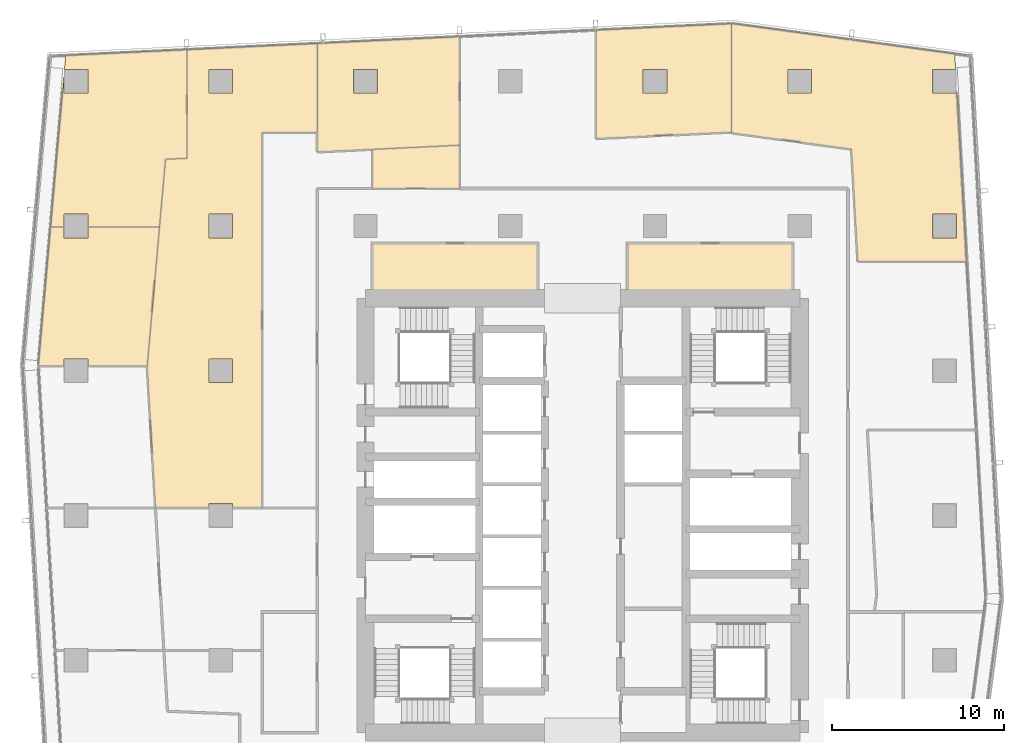
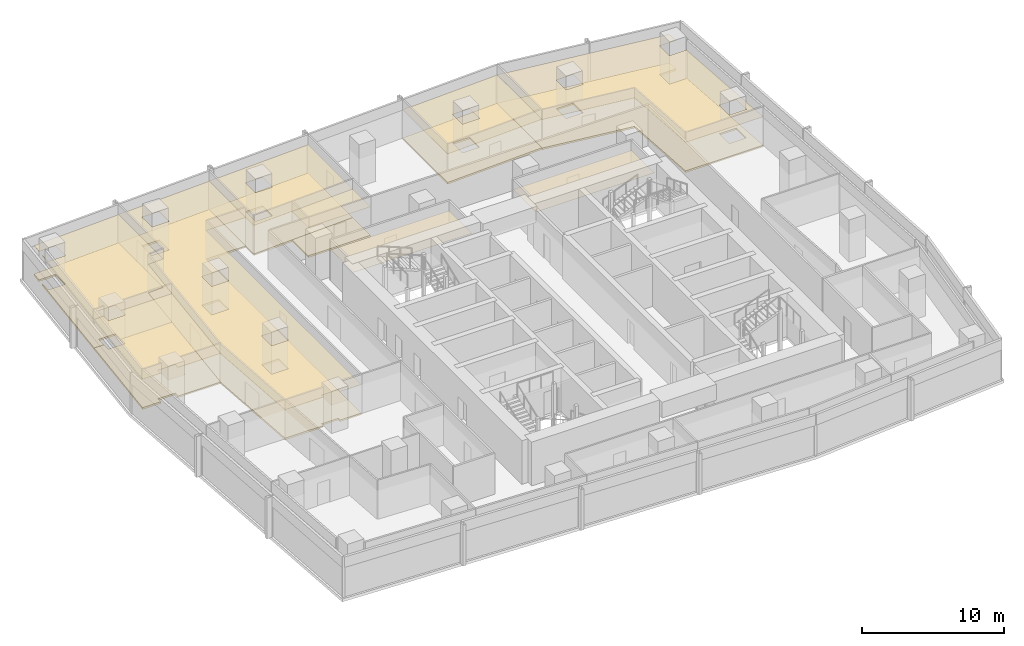
# One storey, part 39 of 39: 16 coverings.
"""IFC4 building model written with IfcOpenShell, lengths in metres."""

from ifc_helpers import new_model, si_unit, direction, frame, origin, place, context, subcontext, project, spatial, polyline, outline, extrude, material, layer, layer_set, type_object, element, save


model = new_model("IFC4")

# Units and contexts
model_context = context("Model", 3, precision=1e-05, world=origin(), true_north=direction((0.0, 1.0)))
body_context = subcontext(model_context, "Body", "Model", "MODEL_VIEW")
ifc_project = project(units=[si_unit("LENGTHUNIT", "METRE"), si_unit("AREAUNIT", "SQUARE_METRE"), si_unit("VOLUMEUNIT", "CUBIC_METRE"), si_unit("PLANEANGLEUNIT", "RADIAN"), si_unit("MASSUNIT", "GRAM", prefix="KILO")], contexts=[model_context])

# Site, building, storey
site_placement = place(None, origin())
site = spatial("IfcSite", under=ifc_project, at=site_placement, CompositionType="ELEMENT")
building_placement = place(site_placement, origin())
building = spatial("IfcBuilding", under=site, at=building_placement, Name="Rekha Terrace Tower", CompositionType="ELEMENT")
storey_placement = place(building_placement, frame((0.0, 0.0, 217.699951171875)))
storey = spatial("IfcBuildingStorey", under=building, at=storey_placement, Name="L55", CompositionType="ELEMENT", Elevation=217.699951171875)

# Coverings
ifc_material_1 = material(Name="Mineral fibre tile in exposed grid", Category="finish")
ifc_layer_1 = layer(ifc_material_1, 0.02001953125)
ifc_layer_set_1 = layer_set([ifc_layer_1], Name="Mineral fibre tile in exposed grid")
covering_type_1 = type_object("IfcCoveringType", Name="CL1 600x1200 office grid ceiling", PredefinedType="CEILING", material=ifc_layer_set_1)
covering_1_placement = place(storey_placement, frame((0.0, 0.0, 2.580078125)))
element("IfcCovering", 1, at=covering_1_placement, inside=storey, type_object=covering_type_1, Name="Ceiling L55-05", PredefinedType="CEILING", context=body_context, shape_type="SweptSolid", body=[
    extrude(outline(polyline([(58.110107421875, 59.489990234375), (59.443115234375, 59.489990234375), (59.39208984375, 60.39208984375), (46.445068359375, 62.154052734375), (46.445068359375, 55.7958984375), (53.39599609375, 54.85009765625), (53.76611328125, 48.33203125), (60.075927734375, 48.33203125), (59.51611328125, 58.2099609375), (59.489990234375, 58.208984375), (59.489990234375, 58.110107421875), (58.110107421875, 58.110107421875), (58.110107421875, 59.489990234375)]), holes=[polyline([(59.489990234375, 51.090087890625), (59.489990234375, 49.7099609375), (58.110107421875, 49.7099609375), (58.110107421875, 51.090087890625), (59.489990234375, 51.090087890625)]), polyline([(51.090087890625, 58.110107421875), (49.7099609375, 58.110107421875), (49.7099609375, 59.489990234375), (51.090087890625, 59.489990234375), (51.090087890625, 58.110107421875)])]), origin(), (0.0, 0.0, 1.0), 0.02001953125),
])
covering_2_placement = place(storey_placement, frame((0.0, 0.0, 2.580078125)))
element("IfcCovering", 2, at=covering_2_placement, inside=storey, type_object=covering_type_1, Name="Ceiling L55-06", PredefinedType="CEILING", context=body_context, shape_type="SweptSolid", body=[
    extrude(outline(polyline([(46.444091796875, 62.14697265625), (38.571044921875, 61.77099609375), (38.571044921875, 55.464111328125), (46.444091796875, 55.840087890625), (46.444091796875, 62.14697265625)]), holes=[polyline([(42.68994140625, 59.489990234375), (42.68994140625, 58.110107421875), (41.31005859375, 58.110107421875), (41.31005859375, 59.489990234375), (42.68994140625, 59.489990234375)])]), origin(), (0.0, 0.0, 1.0), 0.02001953125),
])
covering_3_placement = place(storey_placement, frame((0.0, 0.0, 2.580078125)))
element("IfcCovering", 3, at=covering_3_placement, inside=storey, type_object=covering_type_1, Name="Ceiling L55-07", PredefinedType="CEILING", context=body_context, shape_type="SweptSolid", body=[
    extrude(outline(polyline([(22.40087890625, 60.998046875), (22.40087890625, 54.69091796875), (30.660888671875, 55.0859375), (30.660888671875, 61.39306640625), (22.40087890625, 60.998046875)]), holes=[polyline([(25.889892578125, 58.110107421875), (24.510009765625, 58.110107421875), (24.510009765625, 59.489990234375), (25.889892578125, 59.489990234375), (25.889892578125, 58.110107421875)])]), origin(), (0.0, 0.0, 1.0), 0.02001953125),
])
covering_4_placement = place(storey_placement, frame((0.0, 0.0, 2.580078125)))
element("IfcCovering", 4, at=covering_4_placement, inside=storey, type_object=covering_type_1, Name="Ceiling L55-08", PredefinedType="CEILING", context=body_context, shape_type="SweptSolid", body=[
    extrude(outline(polyline([(13.593017578125, 54.27001953125), (14.842041015625, 54.3291015625), (14.842041015625, 60.636962890625), (7.801025390625, 60.300048828125), (7.72900390625, 59.489990234375), (9.090087890625, 59.489990234375), (9.090087890625, 58.110107421875), (7.7099609375, 58.110107421875), (7.7099609375, 59.0029296875), (7.68701171875, 59.00390625), (6.9208984375, 50.33203125), (7.7099609375, 50.33203125), (7.7099609375, 51.090087890625), (9.090087890625, 51.090087890625), (9.090087890625, 50.33203125), (13.2451171875, 50.33203125), (13.593017578125, 54.27001953125)])), origin(), (0.0, 0.0, 1.0), 0.02001953125),
])
covering_5_placement = place(storey_placement, frame((0.0, 0.0, 2.580078125)))
element("IfcCovering", 5, at=covering_5_placement, inside=storey, type_object=covering_type_1, Name="Ceiling L55-09", PredefinedType="CEILING", context=body_context, shape_type="SweptSolid", body=[
    extrude(outline(polyline([(7.7099609375, 49.7099609375), (7.7099609375, 50.3310546875), (6.9208984375, 50.3310546875), (6.2099609375, 42.282958984375), (7.7099609375, 42.282958984375), (7.7099609375, 42.68994140625), (9.090087890625, 42.68994140625), (9.090087890625, 42.282958984375), (12.534912109375, 42.282958984375), (13.2451171875, 50.3310546875), (9.090087890625, 50.3310546875), (9.090087890625, 49.7099609375), (7.7099609375, 49.7099609375)])), origin(), (0.0, 0.0, 1.0), 0.02001953125),
])
covering_6_placement = place(storey_placement, frame((0.0, 0.0, 2.580078125)))
element("IfcCovering", 6, at=covering_6_placement, inside=storey, type_object=covering_type_1, Name="Ceiling L55-14", PredefinedType="CEILING", context=body_context, shape_type="SweptSolid", body=[
    extrude(outline(polyline([(25.60009765625, 54.843994140625), (25.60009765625, 52.574951171875), (30.660888671875, 52.574951171875), (30.660888671875, 55.0859375), (25.60009765625, 54.843994140625)])), origin(), (0.0, 0.0, 1.0), 0.02001953125),
])
covering_7_placement = place(storey_placement, frame((0.0, 0.0, 2.580078125)))
element("IfcCovering", 7, at=covering_7_placement, inside=storey, type_object=covering_type_1, Name="Ceiling L55-O1b", PredefinedType="CEILING", context=body_context, shape_type="SweptSolid", body=[
    extrude(outline(polyline([(13.2451171875, 50.3310546875), (12.534912109375, 42.281005859375), (12.529052734375, 42.221923828125), (13.010986328125, 34.0400390625), (16.110107421875, 34.0400390625), (16.110107421875, 34.2900390625), (17.489990234375, 34.2900390625), (17.489990234375, 34.0400390625), (19.199951171875, 34.0400390625), (19.199951171875, 55.8291015625), (22.40087890625, 55.8291015625), (22.40087890625, 60.998046875), (14.842041015625, 60.636962890625), (14.842041015625, 54.3291015625), (13.593017578125, 54.27001953125), (13.2451171875, 50.3310546875)]), holes=[polyline([(17.489990234375, 42.68994140625), (17.489990234375, 41.31005859375), (16.110107421875, 41.31005859375), (16.110107421875, 42.68994140625), (17.489990234375, 42.68994140625)]), polyline([(17.489990234375, 51.090087890625), (17.489990234375, 49.7099609375), (16.110107421875, 49.7099609375), (16.110107421875, 51.090087890625), (17.489990234375, 51.090087890625)]), polyline([(17.489990234375, 59.489990234375), (17.489990234375, 58.110107421875), (16.110107421875, 58.110107421875), (16.110107421875, 59.489990234375), (17.489990234375, 59.489990234375)])]), origin(), (0.0, 0.0, 1.0), 0.02001953125),
])
ifc_material_2 = material(Name="Fibre cement board", Category="finish")
ifc_layer_2 = layer(ifc_material_2, 0.014892578125)
ifc_layer_set_2 = layer_set([ifc_layer_2], Name="Fibre cement board")
covering_type_2 = type_object("IfcCoveringType", Name="CL2 moisture-resistant board ceiling", PredefinedType="CEILING", material=ifc_layer_set_2)
covering_8_placement = place(storey_placement, frame((0.0, 0.0, 2.5849609375)))
element("IfcCovering", 8, at=covering_8_placement, inside=storey, type_object=covering_type_2, Name="Ceiling L55-WCF", PredefinedType="CEILING", context=body_context, shape_type="SweptSolid", body=[
    extrude(outline(polyline([(50.0, 49.39990234375), (40.39990234375, 49.39990234375), (40.39990234375, 46.199951171875), (50.0, 46.199951171875), (50.0, 49.39990234375)])), origin(), (0.0, 0.0, 1.0), 0.01513671875),
])
covering_9_placement = place(storey_placement, frame((0.0, 0.0, 2.5849609375)))
element("IfcCovering", 9, at=covering_9_placement, inside=storey, type_object=covering_type_2, Name="Ceiling L55-WCF2", PredefinedType="CEILING", context=body_context, shape_type="SweptSolid", body=[
    extrude(outline(polyline([(35.199951171875, 49.39990234375), (25.60009765625, 49.39990234375), (25.60009765625, 46.199951171875), (35.199951171875, 46.199951171875), (35.199951171875, 49.39990234375)])), origin(), (0.0, 0.0, 1.0), 0.01513671875),
])
ifc_material_3 = material(Name="Calcium sulphate panels on steel pedestals", Category="steel")
ifc_layer_3 = layer(ifc_material_3, 0.14990234375)
ifc_layer_set_3 = layer_set([ifc_layer_3], Name="Calcium sulphate panels on steel pedestals")
covering_type_3 = type_object("IfcCoveringType", Name="RF1 150 raised access floor", PredefinedType="FLOORING", material=ifc_layer_set_3)
covering_10_placement = place(storey_placement, origin())
element("IfcCovering", 10, at=covering_10_placement, inside=storey, type_object=covering_type_3, Name="Raised floor L55-05", PredefinedType="FLOORING", context=body_context, shape_type="SweptSolid", body=[
    extrude(outline(polyline([(58.110107421875, 59.489990234375), (59.443115234375, 59.489990234375), (59.39208984375, 60.39208984375), (46.445068359375, 62.154052734375), (46.445068359375, 55.7958984375), (53.39599609375, 54.85009765625), (53.76611328125, 48.33203125), (60.075927734375, 48.33203125), (59.51611328125, 58.2099609375), (59.489990234375, 58.208984375), (59.489990234375, 58.110107421875), (58.110107421875, 58.110107421875), (58.110107421875, 59.489990234375)]), holes=[polyline([(59.489990234375, 51.090087890625), (59.489990234375, 49.7099609375), (58.110107421875, 49.7099609375), (58.110107421875, 51.090087890625), (59.489990234375, 51.090087890625)]), polyline([(51.090087890625, 58.110107421875), (49.7099609375, 58.110107421875), (49.7099609375, 59.489990234375), (51.090087890625, 59.489990234375), (51.090087890625, 58.110107421875)])]), origin(), (0.0, 0.0, 1.0), 0.150146484375),
])
covering_11_placement = place(storey_placement, origin())
element("IfcCovering", 11, at=covering_11_placement, inside=storey, type_object=covering_type_3, Name="Raised floor L55-06", PredefinedType="FLOORING", context=body_context, shape_type="SweptSolid", body=[
    extrude(outline(polyline([(46.444091796875, 62.14697265625), (38.571044921875, 61.77099609375), (38.571044921875, 55.464111328125), (46.444091796875, 55.840087890625), (46.444091796875, 62.14697265625)]), holes=[polyline([(42.68994140625, 59.489990234375), (42.68994140625, 58.110107421875), (41.31005859375, 58.110107421875), (41.31005859375, 59.489990234375), (42.68994140625, 59.489990234375)])]), origin(), (0.0, 0.0, 1.0), 0.150146484375),
])
covering_12_placement = place(storey_placement, origin())
element("IfcCovering", 12, at=covering_12_placement, inside=storey, type_object=covering_type_3, Name="Raised floor L55-07", PredefinedType="FLOORING", context=body_context, shape_type="SweptSolid", body=[
    extrude(outline(polyline([(22.40087890625, 60.998046875), (22.40087890625, 54.69091796875), (30.660888671875, 55.0859375), (30.660888671875, 61.39306640625), (22.40087890625, 60.998046875)]), holes=[polyline([(25.889892578125, 58.110107421875), (24.510009765625, 58.110107421875), (24.510009765625, 59.489990234375), (25.889892578125, 59.489990234375), (25.889892578125, 58.110107421875)])]), origin(), (0.0, 0.0, 1.0), 0.150146484375),
])
covering_13_placement = place(storey_placement, origin())
element("IfcCovering", 13, at=covering_13_placement, inside=storey, type_object=covering_type_3, Name="Raised floor L55-08", PredefinedType="FLOORING", context=body_context, shape_type="SweptSolid", body=[
    extrude(outline(polyline([(13.593017578125, 54.27001953125), (14.842041015625, 54.3291015625), (14.842041015625, 60.636962890625), (7.801025390625, 60.300048828125), (7.72900390625, 59.489990234375), (9.090087890625, 59.489990234375), (9.090087890625, 58.110107421875), (7.7099609375, 58.110107421875), (7.7099609375, 59.0029296875), (7.68701171875, 59.00390625), (6.9208984375, 50.33203125), (7.7099609375, 50.33203125), (7.7099609375, 51.090087890625), (9.090087890625, 51.090087890625), (9.090087890625, 50.33203125), (13.2451171875, 50.33203125), (13.593017578125, 54.27001953125)])), origin(), (0.0, 0.0, 1.0), 0.150146484375),
])
covering_14_placement = place(storey_placement, origin())
element("IfcCovering", 14, at=covering_14_placement, inside=storey, type_object=covering_type_3, Name="Raised floor L55-09", PredefinedType="FLOORING", context=body_context, shape_type="SweptSolid", body=[
    extrude(outline(polyline([(7.7099609375, 49.7099609375), (7.7099609375, 50.3310546875), (6.9208984375, 50.3310546875), (6.2099609375, 42.282958984375), (7.7099609375, 42.282958984375), (7.7099609375, 42.68994140625), (9.090087890625, 42.68994140625), (9.090087890625, 42.282958984375), (12.534912109375, 42.282958984375), (13.2451171875, 50.3310546875), (9.090087890625, 50.3310546875), (9.090087890625, 49.7099609375), (7.7099609375, 49.7099609375)])), origin(), (0.0, 0.0, 1.0), 0.150146484375),
])
covering_15_placement = place(storey_placement, origin())
element("IfcCovering", 15, at=covering_15_placement, inside=storey, type_object=covering_type_3, Name="Raised floor L55-14", PredefinedType="FLOORING", context=body_context, shape_type="SweptSolid", body=[
    extrude(outline(polyline([(25.60009765625, 54.843994140625), (25.60009765625, 52.574951171875), (30.660888671875, 52.574951171875), (30.660888671875, 55.0859375), (25.60009765625, 54.843994140625)])), origin(), (0.0, 0.0, 1.0), 0.150146484375),
])
covering_16_placement = place(storey_placement, origin())
element("IfcCovering", 16, at=covering_16_placement, inside=storey, type_object=covering_type_3, Name="Raised floor L55-O1b", PredefinedType="FLOORING", context=body_context, shape_type="SweptSolid", body=[
    extrude(outline(polyline([(13.2451171875, 50.3310546875), (12.534912109375, 42.281005859375), (12.529052734375, 42.221923828125), (13.010986328125, 34.0400390625), (16.110107421875, 34.0400390625), (16.110107421875, 34.2900390625), (17.489990234375, 34.2900390625), (17.489990234375, 34.0400390625), (19.199951171875, 34.0400390625), (19.199951171875, 55.8291015625), (22.40087890625, 55.8291015625), (22.40087890625, 60.998046875), (14.842041015625, 60.636962890625), (14.842041015625, 54.3291015625), (13.593017578125, 54.27001953125), (13.2451171875, 50.3310546875)]), holes=[polyline([(17.489990234375, 42.68994140625), (17.489990234375, 41.31005859375), (16.110107421875, 41.31005859375), (16.110107421875, 42.68994140625), (17.489990234375, 42.68994140625)]), polyline([(17.489990234375, 51.090087890625), (17.489990234375, 49.7099609375), (16.110107421875, 49.7099609375), (16.110107421875, 51.090087890625), (17.489990234375, 51.090087890625)]), polyline([(17.489990234375, 59.489990234375), (17.489990234375, 58.110107421875), (16.110107421875, 58.110107421875), (16.110107421875, 59.489990234375), (17.489990234375, 59.489990234375)])]), origin(), (0.0, 0.0, 1.0), 0.150146484375),
])

save(model, "model.ifc")
